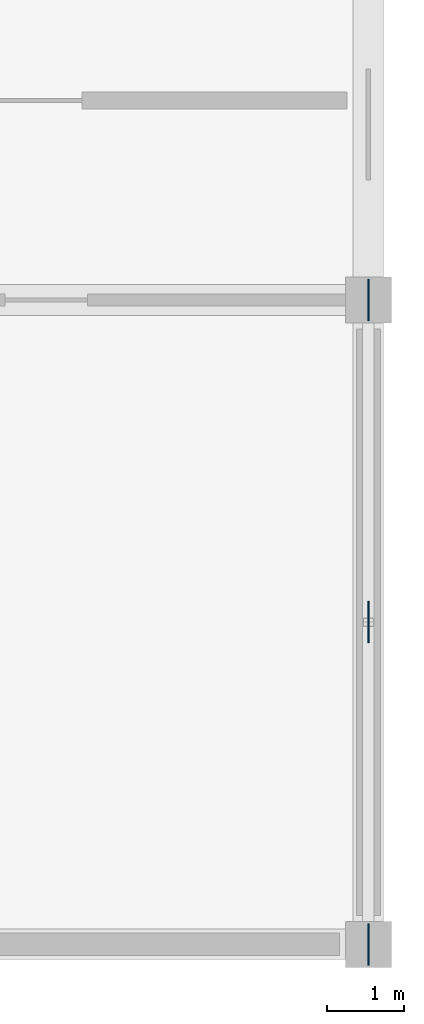
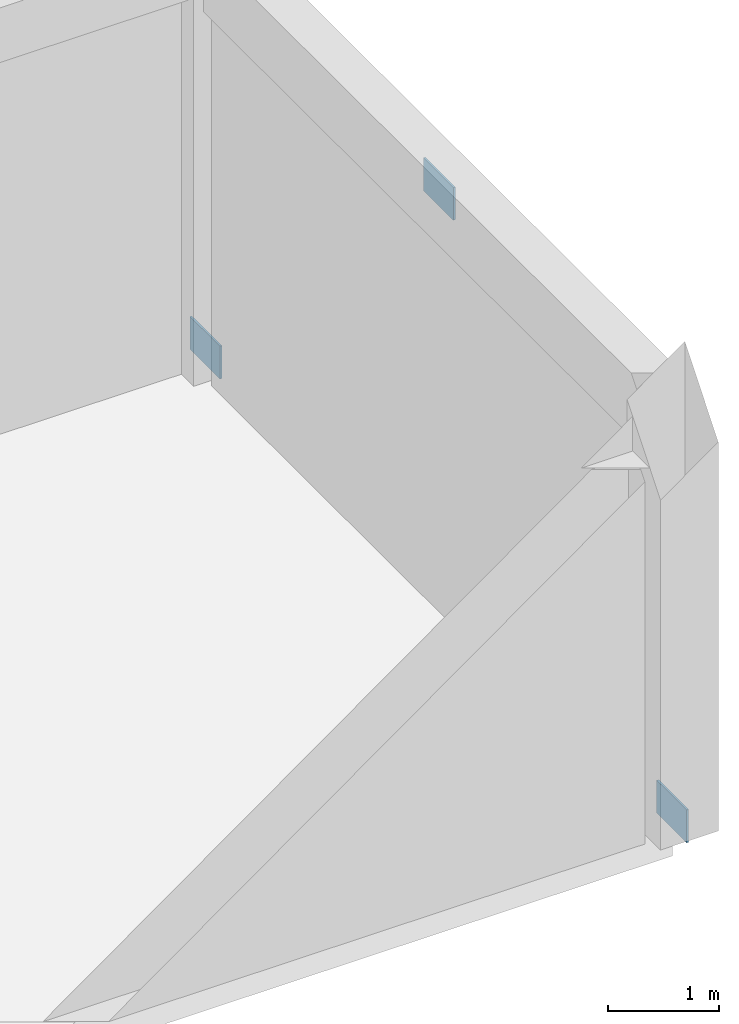
# One storey, part 90 of 134: 3 plates.
"""IFC4 building model written with IfcOpenShell, lengths in metres."""

from ifc_helpers import new_model, si_unit, direction, frame, origin, origin_2d, place, context, subcontext, project, spatial, rectangle, extrude, material, layer, layer_set, type_object, element, save


model = new_model("IFC4")

# Units and contexts
model_context = context("Model", 3, precision=1e-05, world=origin(), true_north=direction((0.0, 1.0)))
body_context = subcontext(model_context, "Body", "Model", "MODEL_VIEW")
ifc_project = project(units=[si_unit("LENGTHUNIT", "METRE"), si_unit("AREAUNIT", "SQUARE_METRE"), si_unit("VOLUMEUNIT", "CUBIC_METRE"), si_unit("PLANEANGLEUNIT", "RADIAN"), si_unit("MASSUNIT", "GRAM", prefix="KILO")], contexts=[model_context])

# Site, building, storey
site_placement = place(None, origin())
site = spatial("IfcSite", under=ifc_project, at=site_placement, CompositionType="ELEMENT")
building_placement = place(site_placement, origin())
building = spatial("IfcBuilding", under=site, at=building_placement, Name="Bramfleet General Hospital", CompositionType="ELEMENT")
storey_placement = place(building_placement, frame((0.0, 0.0, 9.300048828125)))
storey = spatial("IfcBuildingStorey", under=building, at=storey_placement, Name="L02", CompositionType="ELEMENT", Elevation=9.300048828125)

# Plates
ifc_material = material(Name="Steel S355", Category="steel")
ifc_layer = layer(ifc_material, 0.02001953125, Name="PL-GP-540")
ifc_layer_set = layer_set([ifc_layer], Name="Steel S355")
plate_type = type_object("IfcPlateType", Name="PL-GP-540", PredefinedType="USERDEFINED", material=ifc_layer_set)
for number, where, z_axis, x_axis, name in (
    (1, (168.0, 4.199951171875, 4.25), (0.0, 0.0, 1.0), (1.0, 0.0, 0.0), "L02 Chevron Gusset Plate 6"),
    (2, (168.0, 0.0, -0.0400390625), (0.0, 0.0, 1.0), (1.0, 0.0, 0.0), "L02 Brace Foot Gusset Plate 6A"),
    (3, (168.0, 8.39990234375, -0.0400390625), (0.0, 0.0, 1.0), (1.0, 0.0, 0.0), "L02 Brace Foot Gusset Plate 6B"),
):
    element("IfcPlate", number, at=place(storey_placement, frame(where, z_axis=z_axis, x_axis=x_axis)), inside=storey, type_object=plate_type, Name=name, ObjectType="Gusset plate", PredefinedType="USERDEFINED", context=body_context, shape_type="SweptSolid", body=[
        extrude(rectangle(XDim=0.02001953125, YDim=0.5400390625, at=origin_2d()), origin(), (0.0, 0.0, 1.0), 0.360107421875),
    ])

save(model, "model.ifc")
